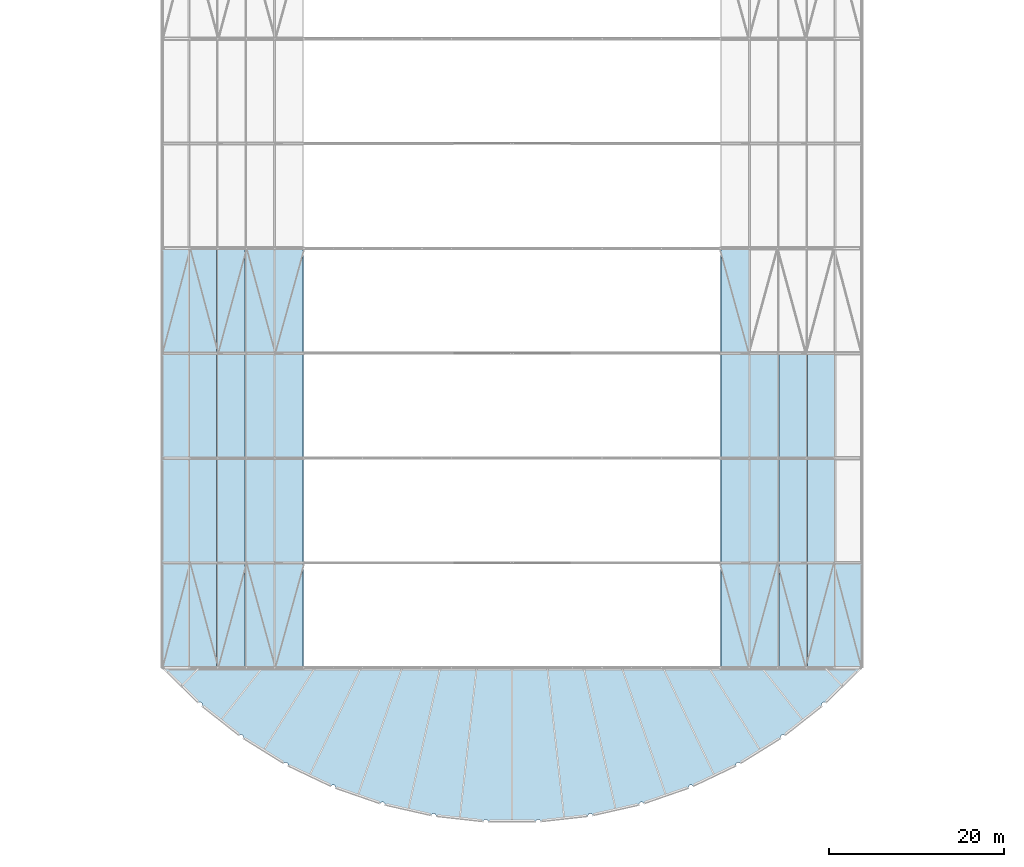
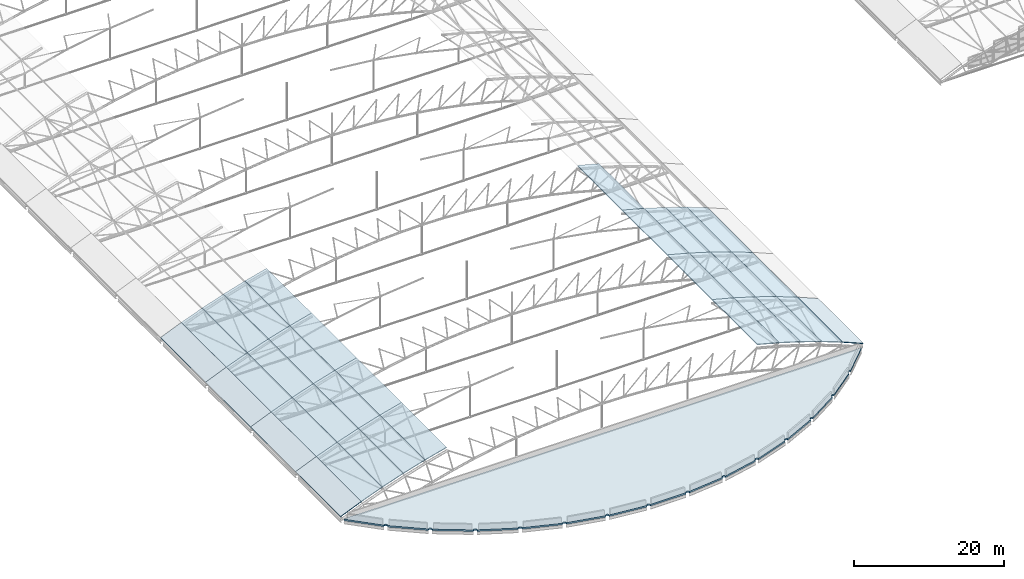
# One storey, part 246 of 321: 35 slabs.
"""IFC4 building model written with IfcOpenShell, lengths in metres."""

from ifc_helpers import new_model, si_unit, direction, frame, origin, place, context, subcontext, project, spatial, polyline, outline, extrude, material, layer, layer_set, type_object, element, save


model = new_model("IFC4")

# Units and contexts
model_context = context("Model", 3, precision=1e-05, world=origin(), true_north=direction((0.0, 1.0)))
body_context = subcontext(model_context, "Body", "Model", "MODEL_VIEW")
ifc_project = project(units=[si_unit("LENGTHUNIT", "METRE"), si_unit("AREAUNIT", "SQUARE_METRE"), si_unit("VOLUMEUNIT", "CUBIC_METRE"), si_unit("PLANEANGLEUNIT", "RADIAN"), si_unit("MASSUNIT", "GRAM", prefix="KILO")], contexts=[model_context])

# Site, building, storey
site_placement = place(None, origin())
site = spatial("IfcSite", under=ifc_project, at=site_placement, CompositionType="ELEMENT")
building_placement = place(site_placement, origin())
building = spatial("IfcBuilding", under=site, at=building_placement, Name="Ravi Spectrum Wholesale Market", CompositionType="ELEMENT")
storey_placement = place(building_placement, frame((0.0, 0.0, 10.800048828125)))
storey = spatial("IfcBuildingStorey", under=building, at=storey_placement, Name="L02", CompositionType="ELEMENT", Elevation=10.800048828125)

# Slabs
ifc_material_1 = material(Name="Concrete C35/45", Category="concrete")
ifc_layer_1 = layer(ifc_material_1, 0.25)
ifc_layer_set_1 = layer_set([ifc_layer_1], Name="Concrete C35/45")
slab_type_1 = type_object("IfcSlabType", Name="Flat roof slab 250", PredefinedType="ROOF", material=ifc_layer_set_1)
slab_1_placement = place(storey_placement, frame((0.0, 0.0, -0.199951171875)))
element("IfcSlab", 1, at=slab_1_placement, inside=storey, type_object=slab_type_1, Name="H1-SL-L02-141", PredefinedType="ROOF", context=body_context, shape_type="SweptSolid", body=[
    extrude(outline(polyline([(101.218505859375, 22.232421875), (101.21533203125, 22.236572265625), (101.197998046875, 22.255859375), (101.1787109375, 22.273193359375), (101.157958984375, 22.288818359375), (101.1357421875, 22.302001953125), (101.1123046875, 22.31298828125), (101.087890625, 22.32177734375), (101.062744140625, 22.328125), (101.037109375, 22.33203125), (101.01123046875, 22.333251953125), (100.9853515625, 22.33203125), (100.959716796875, 22.328125), (100.9345703125, 22.32177734375), (100.91015625, 22.31298828125), (100.88671875, 22.302001953125), (100.864501953125, 22.288818359375), (100.84375, 22.273193359375), (100.824462890625, 22.255859375), (100.80712890625, 22.236572265625), (100.791748046875, 22.2158203125), (100.7783203125, 22.193603515625), (100.767333984375, 22.170166015625), (100.758544921875, 22.145751953125), (100.752197265625, 22.12060546875), (100.74853515625, 22.094970703125), (100.747314453125, 22.069091796875), (100.74853515625, 22.043212890625), (100.752197265625, 22.017578125), (100.758544921875, 21.99267578125), (100.767333984375, 21.96826171875), (100.7783203125, 21.94482421875), (100.787109375, 21.929931640625), (96.13671875, 19.03955078125), (96.13232421875, 19.046875), (96.116943359375, 19.06787109375), (96.099609375, 19.0869140625), (96.080322265625, 19.104248046875), (96.0595703125, 19.119873046875), (96.037353515625, 19.133056640625), (96.013916015625, 19.144287109375), (95.989501953125, 19.15283203125), (95.96435546875, 19.1591796875), (95.938720703125, 19.1630859375), (95.912841796875, 19.164306640625), (95.886962890625, 19.1630859375), (95.861328125, 19.1591796875), (95.836181640625, 19.15283203125), (95.811767578125, 19.144287109375), (95.788330078125, 19.133056640625), (95.76611328125, 19.119873046875), (95.745361328125, 19.104248046875), (95.72607421875, 19.0869140625), (95.708740234375, 19.06787109375), (95.693359375, 19.046875), (95.679931640625, 19.024658203125), (95.6689453125, 19.001220703125), (95.66015625, 18.97705078125), (95.65380859375, 18.951904296875), (95.650146484375, 18.92626953125), (95.64892578125, 18.900390625), (95.650146484375, 18.87451171875), (95.65380859375, 18.848876953125), (95.66015625, 18.82373046875), (95.6689453125, 18.79931640625), (95.6748046875, 18.786865234375), (90.732177734375, 16.430419921875), (90.72705078125, 16.44140625), (90.713623046875, 16.463623046875), (90.6982421875, 16.484375), (90.680908203125, 16.503662109375), (90.66162109375, 16.52099609375), (90.640869140625, 16.536376953125), (90.61865234375, 16.5498046875), (90.59521484375, 16.560791015625), (90.57080078125, 16.569580078125), (90.545654296875, 16.57568359375), (90.52001953125, 16.57958984375), (90.494140625, 16.580810546875), (90.46826171875, 16.57958984375), (90.442626953125, 16.57568359375), (90.41748046875, 16.569580078125), (90.393310546875, 16.560791015625), (90.369873046875, 16.5498046875), (90.34765625, 16.536376953125), (90.32666015625, 16.52099609375), (90.3076171875, 16.503662109375), (90.2900390625, 16.484375), (90.274658203125, 16.463623046875), (90.261474609375, 16.44140625), (90.250244140625, 16.41796875), (90.24169921875, 16.3935546875), (90.2353515625, 16.368408203125), (90.2314453125, 16.3427734375), (90.230224609375, 16.31689453125), (90.2314453125, 16.291015625), (90.2353515625, 16.265380859375), (90.24169921875, 16.240234375), (90.2451171875, 16.23046875), (85.071533203125, 14.437255859375), (85.066162109375, 14.451904296875), (85.05517578125, 14.475341796875), (85.0419921875, 14.49755859375), (85.0263671875, 14.518310546875), (85.009033203125, 14.53759765625), (84.98974609375, 14.554931640625), (84.968994140625, 14.5703125), (84.94677734375, 14.583740234375), (84.92333984375, 14.5947265625), (84.89892578125, 14.603515625), (84.873779296875, 14.60986328125), (84.84814453125, 14.613525390625), (84.822265625, 14.61474609375), (84.79638671875, 14.613525390625), (84.770751953125, 14.60986328125), (84.745849609375, 14.603515625), (84.721435546875, 14.5947265625), (84.697998046875, 14.583740234375), (84.67578125, 14.5703125), (84.65478515625, 14.554931640625), (84.6357421875, 14.53759765625), (84.618408203125, 14.518310546875), (84.602783203125, 14.49755859375), (84.589599609375, 14.475341796875), (84.578369140625, 14.451904296875), (84.56982421875, 14.427490234375), (84.5634765625, 14.40234375), (84.5595703125, 14.376708984375), (84.558349609375, 14.350830078125), (84.5595703125, 14.324951171875), (84.5634765625, 14.29931640625), (84.565185546875, 14.292724609375), (79.224609375, 13.084716796875), (79.219970703125, 13.10302734375), (79.211181640625, 13.12744140625), (79.2001953125, 13.15087890625), (79.186767578125, 13.173095703125), (79.17138671875, 13.19384765625), (79.154052734375, 13.213134765625), (79.134765625, 13.23046875), (79.114013671875, 13.24609375), (79.091796875, 13.25927734375), (79.068359375, 13.2705078125), (79.0439453125, 13.279052734375), (79.018798828125, 13.285400390625), (78.9931640625, 13.289306640625), (78.96728515625, 13.29052734375), (78.94140625, 13.289306640625), (78.915771484375, 13.285400390625), (78.890625, 13.279052734375), (78.8662109375, 13.2705078125), (78.8427734375, 13.25927734375), (78.820556640625, 13.24609375), (78.7998046875, 13.23046875), (78.78076171875, 13.213134765625), (78.76318359375, 13.19384765625), (78.747802734375, 13.173095703125), (78.734619140625, 13.15087890625), (78.723388671875, 13.12744140625), (78.714599609375, 13.10302734375), (78.70849609375, 13.077880859375), (78.70458984375, 13.05224609375), (78.703369140625, 13.0263671875), (78.70458984375, 13.00048828125), (78.705078125, 12.997314453125), (73.263671875, 12.389404296875), (73.260498046875, 12.41162109375), (73.254150390625, 12.436767578125), (73.245361328125, 12.461181640625), (73.234375, 12.484619140625), (73.220947265625, 12.5068359375), (73.20556640625, 12.527587890625), (73.188232421875, 12.546875), (73.1689453125, 12.564208984375), (73.148193359375, 12.57958984375), (73.1259765625, 12.593017578125), (73.1025390625, 12.60400390625), (73.078125, 12.61279296875), (73.052978515625, 12.619140625), (73.02734375, 12.622802734375), (73.00146484375, 12.624267578125), (72.9755859375, 12.622802734375), (72.949951171875, 12.619140625), (72.9248046875, 12.61279296875), (72.900390625, 12.60400390625), (72.876953125, 12.593017578125), (72.854736328125, 12.57958984375), (72.833984375, 12.564208984375), (72.814697265625, 12.546875), (72.79736328125, 12.527587890625), (72.781982421875, 12.5068359375), (72.7685546875, 12.484619140625), (72.757568359375, 12.461181640625), (72.748779296875, 12.436767578125), (72.742431640625, 12.41162109375), (72.73876953125, 12.385986328125), (72.737548828125, 12.360107421875), (67.262451171875, 12.360107421875), (67.26123046875, 12.385986328125), (67.257568359375, 12.41162109375), (67.251220703125, 12.436767578125), (67.242431640625, 12.461181640625), (67.2314453125, 12.484619140625), (67.218017578125, 12.5068359375), (67.20263671875, 12.527587890625), (67.185302734375, 12.546875), (67.166015625, 12.564208984375), (67.145263671875, 12.57958984375), (67.123046875, 12.593017578125), (67.099609375, 12.60400390625), (67.0751953125, 12.61279296875), (67.050048828125, 12.619140625), (67.0244140625, 12.622802734375), (66.99853515625, 12.624267578125), (66.97265625, 12.622802734375), (66.947021484375, 12.619140625), (66.921875, 12.61279296875), (66.8974609375, 12.60400390625), (66.8740234375, 12.593017578125), (66.851806640625, 12.57958984375), (66.8310546875, 12.564208984375), (66.811767578125, 12.546875), (66.79443359375, 12.527587890625), (66.779052734375, 12.5068359375), (66.765625, 12.484619140625), (66.754638671875, 12.461181640625), (66.745849609375, 12.436767578125), (66.739501953125, 12.41162109375), (66.736328125, 12.389404296875), (61.294921875, 12.997314453125), (61.29541015625, 13.00048828125), (61.296630859375, 13.0263671875), (61.29541015625, 13.05224609375), (61.29150390625, 13.077880859375), (61.285400390625, 13.10302734375), (61.276611328125, 13.12744140625), (61.265380859375, 13.15087890625), (61.252197265625, 13.173095703125), (61.23681640625, 13.19384765625), (61.21923828125, 13.213134765625), (61.2001953125, 13.23046875), (61.179443359375, 13.24609375), (61.1572265625, 13.25927734375), (61.1337890625, 13.2705078125), (61.109375, 13.279052734375), (61.084228515625, 13.285400390625), (61.05859375, 13.289306640625), (61.03271484375, 13.29052734375), (61.0068359375, 13.289306640625), (60.981201171875, 13.285400390625), (60.9560546875, 13.279052734375), (60.931640625, 13.2705078125), (60.908203125, 13.25927734375), (60.885986328125, 13.24609375), (60.865234375, 13.23046875), (60.845947265625, 13.213134765625), (60.82861328125, 13.19384765625), (60.813232421875, 13.173095703125), (60.7998046875, 13.15087890625), (60.788818359375, 13.12744140625), (60.780029296875, 13.10302734375), (60.775390625, 13.084716796875), (55.434814453125, 14.292724609375), (55.4365234375, 14.29931640625), (55.4404296875, 14.324951171875), (55.441650390625, 14.350830078125), (55.4404296875, 14.376708984375), (55.4365234375, 14.40234375), (55.43017578125, 14.427490234375), (55.421630859375, 14.451904296875), (55.410400390625, 14.475341796875), (55.397216796875, 14.49755859375), (55.381591796875, 14.518310546875), (55.3642578125, 14.53759765625), (55.34521484375, 14.554931640625), (55.32421875, 14.5703125), (55.302001953125, 14.583740234375), (55.278564453125, 14.5947265625), (55.254150390625, 14.603515625), (55.229248046875, 14.60986328125), (55.20361328125, 14.613525390625), (55.177734375, 14.61474609375), (55.15185546875, 14.613525390625), (55.126220703125, 14.60986328125), (55.10107421875, 14.603515625), (55.07666015625, 14.5947265625), (55.05322265625, 14.583740234375), (55.031005859375, 14.5703125), (55.01025390625, 14.554931640625), (54.990966796875, 14.53759765625), (54.9736328125, 14.518310546875), (54.9580078125, 14.49755859375), (54.94482421875, 14.475341796875), (54.933837890625, 14.451904296875), (54.928466796875, 14.437255859375), (49.7548828125, 16.23046875), (49.75830078125, 16.240234375), (49.7646484375, 16.265380859375), (49.7685546875, 16.291015625), (49.769775390625, 16.31689453125), (49.7685546875, 16.3427734375), (49.7646484375, 16.368408203125), (49.75830078125, 16.3935546875), (49.749755859375, 16.41796875), (49.738525390625, 16.44140625), (49.725341796875, 16.463623046875), (49.7099609375, 16.484375), (49.6923828125, 16.503662109375), (49.67333984375, 16.52099609375), (49.65234375, 16.536376953125), (49.630126953125, 16.5498046875), (49.606689453125, 16.560791015625), (49.58251953125, 16.569580078125), (49.557373046875, 16.57568359375), (49.53173828125, 16.57958984375), (49.505859375, 16.580810546875), (49.47998046875, 16.57958984375), (49.454345703125, 16.57568359375), (49.42919921875, 16.569580078125), (49.40478515625, 16.560791015625), (49.38134765625, 16.5498046875), (49.359130859375, 16.536376953125), (49.33837890625, 16.52099609375), (49.319091796875, 16.503662109375), (49.3017578125, 16.484375), (49.286376953125, 16.463623046875), (49.27294921875, 16.44140625), (49.267822265625, 16.430419921875), (44.3251953125, 18.786865234375), (44.3310546875, 18.79931640625), (44.33984375, 18.82373046875), (44.34619140625, 18.848876953125), (44.349853515625, 18.87451171875), (44.35107421875, 18.900390625), (44.349853515625, 18.92626953125), (44.34619140625, 18.951904296875), (44.33984375, 18.97705078125), (44.3310546875, 19.001220703125), (44.320068359375, 19.024658203125), (44.306640625, 19.046875), (44.291259765625, 19.06787109375), (44.27392578125, 19.0869140625), (44.254638671875, 19.104248046875), (44.23388671875, 19.119873046875), (44.211669921875, 19.133056640625), (44.188232421875, 19.144287109375), (44.163818359375, 19.15283203125), (44.138671875, 19.1591796875), (44.113037109375, 19.1630859375), (44.087158203125, 19.164306640625), (44.061279296875, 19.1630859375), (44.03564453125, 19.1591796875), (44.010498046875, 19.15283203125), (43.986083984375, 19.144287109375), (43.962646484375, 19.133056640625), (43.9404296875, 19.119873046875), (43.919677734375, 19.104248046875), (43.900390625, 19.0869140625), (43.883056640625, 19.06787109375), (43.86767578125, 19.046875), (43.86328125, 19.03955078125), (39.212890625, 21.929931640625), (39.2216796875, 21.94482421875), (39.232666015625, 21.96826171875), (39.241455078125, 21.99267578125), (39.247802734375, 22.017578125), (39.25146484375, 22.043212890625), (39.252685546875, 22.069091796875), (39.25146484375, 22.094970703125), (39.247802734375, 22.12060546875), (39.241455078125, 22.145751953125), (39.232666015625, 22.170166015625), (39.2216796875, 22.193603515625), (39.208251953125, 22.2158203125), (39.19287109375, 22.236572265625), (39.175537109375, 22.255859375), (39.15625, 22.273193359375), (39.135498046875, 22.288818359375), (39.11328125, 22.302001953125), (39.08984375, 22.31298828125), (39.0654296875, 22.32177734375), (39.040283203125, 22.328125), (39.0146484375, 22.33203125), (38.98876953125, 22.333251953125), (38.962890625, 22.33203125), (38.937255859375, 22.328125), (38.912109375, 22.32177734375), (38.8876953125, 22.31298828125), (38.8642578125, 22.302001953125), (38.842041015625, 22.288818359375), (38.8212890625, 22.273193359375), (38.802001953125, 22.255859375), (38.78466796875, 22.236572265625), (38.781494140625, 22.232421875), (34.48095703125, 25.62109375), (34.4931640625, 25.6376953125), (34.506591796875, 25.659912109375), (34.517578125, 25.683349609375), (34.5263671875, 25.707763671875), (34.532470703125, 25.73291015625), (34.536376953125, 25.758544921875), (34.53759765625, 25.784423828125), (34.536376953125, 25.810302734375), (34.532470703125, 25.8359375), (34.5263671875, 25.861083984375), (34.517578125, 25.885498046875), (34.506591796875, 25.908935546875), (34.4931640625, 25.93115234375), (34.477783203125, 25.951904296875), (34.460205078125, 25.97119140625), (34.441162109375, 25.988525390625), (34.42041015625, 26.00390625), (34.398193359375, 26.017333984375), (34.374755859375, 26.0283203125), (34.350341796875, 26.037109375), (34.3251953125, 26.043212890625), (34.299560546875, 26.047119140625), (34.273681640625, 26.04833984375), (34.247802734375, 26.047119140625), (34.22216796875, 26.043212890625), (34.197021484375, 26.037109375), (34.172607421875, 26.0283203125), (34.149169921875, 26.017333984375), (34.126953125, 26.00390625), (34.106201171875, 25.988525390625), (34.0869140625, 25.97119140625), (34.085693359375, 25.9697265625), (30.18798828125, 29.814697265625), (30.2041015625, 29.83251953125), (30.219482421875, 29.853271484375), (30.23291015625, 29.87548828125), (30.243896484375, 29.89892578125), (30.244384765625, 29.89990234375), (109.755615234375, 29.89990234375), (109.756103515625, 29.89892578125), (109.76708984375, 29.87548828125), (109.780517578125, 29.853271484375), (109.7958984375, 29.83251953125), (109.81201171875, 29.814697265625), (105.914306640625, 25.9697265625), (105.9130859375, 25.97119140625), (105.893798828125, 25.988525390625), (105.873046875, 26.00390625), (105.850830078125, 26.017333984375), (105.827392578125, 26.0283203125), (105.802978515625, 26.037109375), (105.77783203125, 26.043212890625), (105.752197265625, 26.047119140625), (105.726318359375, 26.04833984375), (105.700439453125, 26.047119140625), (105.6748046875, 26.043212890625), (105.649658203125, 26.037109375), (105.625244140625, 26.0283203125), (105.601806640625, 26.017333984375), (105.57958984375, 26.00390625), (105.558837890625, 25.988525390625), (105.539794921875, 25.97119140625), (105.522216796875, 25.951904296875), (105.5068359375, 25.93115234375), (105.493408203125, 25.908935546875), (105.482421875, 25.885498046875), (105.4736328125, 25.861083984375), (105.467529296875, 25.8359375), (105.463623046875, 25.810302734375), (105.46240234375, 25.784423828125), (105.463623046875, 25.758544921875), (105.467529296875, 25.73291015625), (105.4736328125, 25.707763671875), (105.482421875, 25.683349609375), (105.493408203125, 25.659912109375), (105.5068359375, 25.6376953125), (105.51904296875, 25.62109375), (101.218505859375, 22.232421875)])), origin(), (0.0, 0.0, 1.0), 0.25),
])
ifc_material_2 = material(Name="Steel S355", Category="steel")
ifc_layer_2 = layer(ifc_material_2, 0.1201171875)
ifc_layer_set_2 = layer_set([ifc_layer_2], Name="Steel S355")
slab_type_2 = type_object("IfcSlabType", Name="Roof panel 120", PredefinedType="ROOF", material=ifc_layer_set_2)
slab_2_placement = place(storey_placement, frame((29.76318359375, 30.0, 0.5439453125), z_axis=(-0.386400188162, 0.0, 0.922331228241), x_axis=(0.922331228241, 0.0, 0.386400188162)))
element("IfcSlab", 2, at=slab_2_placement, inside=storey, type_object=slab_type_2, Name="H1-SL-L02-001", PredefinedType="ROOF", context=body_context, shape_type="SweptSolid", body=[
    extrude(outline(polyline([(0.0, 0.0), (3.44665233138391, 0.0), (3.44665233138391, 12.0), (0.0, 12.0), (0.0, 0.0)])), origin(), (0.0, 0.0, -1.0), 0.1201171875),
])
slab_3_placement = place(storey_placement, frame((32.946044921875, 30.0, 1.877197265625), z_axis=(-0.354389433988, 0.0, 0.93509792486), x_axis=(0.93509792486, 0.0, 0.354389433988)))
element("IfcSlab", 3, at=slab_3_placement, inside=storey, type_object=slab_type_2, Name="H1-SL-L02-002", PredefinedType="ROOF", context=body_context, shape_type="SweptSolid", body=[
    extrude(outline(polyline([(0.0, 0.0), (3.4465913194140976, 0.0), (3.4465913194140976, 12.0), (0.0, 12.0), (0.0, 0.0)])), origin(), (0.0, 0.0, -1.0), 0.1201171875),
])
slab_4_placement = place(storey_placement, frame((36.1728515625, 30.0, 3.099853515625), z_axis=(-0.321938289451, 0.0, 0.946760654963), x_axis=(0.946760654963, 0.0, 0.321938289451)))
element("IfcSlab", 4, at=slab_4_placement, inside=storey, type_object=slab_type_2, Name="H1-SL-L02-003", PredefinedType="ROOF", context=body_context, shape_type="SweptSolid", body=[
    extrude(outline(polyline([(0.0, 0.0), (3.4466827245571254, 0.0), (3.4466827245571254, 12.0), (0.0, 12.0), (0.0, 0.0)])), origin(), (0.0, 0.0, -1.0), 0.1201171875),
])
slab_5_placement = place(storey_placement, frame((39.43994140625, 30.0, 4.210693359375), z_axis=(-0.289069508048, 0.0, 0.957308111068), x_axis=(0.957308111068, 0.0, 0.289069508048)))
element("IfcSlab", 5, at=slab_5_placement, inside=storey, type_object=slab_type_2, Name="H1-SL-L02-004", PredefinedType="ROOF", context=body_context, shape_type="SweptSolid", body=[
    extrude(outline(polyline([(0.0, 0.0), (3.4467069783764797, 0.0), (3.4467069783764797, 12.0), (0.0, 12.0), (0.0, 0.0)])), origin(), (0.0, 0.0, -1.0), 0.1201171875),
])
for number, where, z_axis, x_axis, name in (
    (6, (42.74365234375, 30.0, 5.2080078125), (-0.255929552766, 0.0, 0.966695434985), (0.966695434985, 0.0, 0.255929552766), "H1-SL-L02-005"),
    (7, (93.924560546875, 30.0, 6.090087890625), (0.255929552766, 0.0, 0.966695434985), (0.966695434985, 0.0, -0.255929552766), "H1-SL-L02-006"),
):
    element("IfcSlab", number, at=place(storey_placement, frame(where, z_axis=z_axis, x_axis=x_axis)), inside=storey, type_object=slab_type_2, Name=name, PredefinedType="ROOF", context=body_context, shape_type="SweptSolid", body=[
        extrude(outline(polyline([(0.0, 0.0), (3.4465737488732815, 0.0), (3.4465737488732815, 12.0), (0.0, 12.0), (0.0, 0.0)])), origin(), (0.0, 0.0, -1.0), 0.1201171875),
    ])
slab_6_placement = place(storey_placement, frame((97.260498046875, 30.0, 5.20703125), z_axis=(0.289069508048, 0.0, 0.957308111068), x_axis=(0.957308111068, 0.0, -0.289069508048)))
element("IfcSlab", 8, at=slab_6_placement, inside=storey, type_object=slab_type_2, Name="H1-SL-L02-007", PredefinedType="ROOF", context=body_context, shape_type="SweptSolid", body=[
    extrude(outline(polyline([(0.0, 0.0), (3.4467069783764797, 0.0), (3.4467069783764797, 12.0), (0.0, 12.0), (0.0, 0.0)])), origin(), (0.0, 0.0, -1.0), 0.1201171875),
])
slab_7_placement = place(storey_placement, frame((100.56396484375, 30.0, 4.20947265625), z_axis=(0.321938289451, 0.0, 0.946760654963), x_axis=(0.946760654963, 0.0, -0.321938289451)))
element("IfcSlab", 9, at=slab_7_placement, inside=storey, type_object=slab_type_2, Name="H1-SL-L02-008", PredefinedType="ROOF", context=body_context, shape_type="SweptSolid", body=[
    extrude(outline(polyline([(0.0, 0.0), (3.4466827245571254, 0.0), (3.4466827245571254, 12.0), (0.0, 12.0), (0.0, 0.0)])), origin(), (0.0, 0.0, -1.0), 0.1201171875),
])
slab_8_placement = place(storey_placement, frame((103.8310546875, 30.0, 3.0986328125), z_axis=(0.354389433988, 0.0, 0.93509792486), x_axis=(0.93509792486, 0.0, -0.354389433988)))
element("IfcSlab", 10, at=slab_8_placement, inside=storey, type_object=slab_type_2, Name="H1-SL-L02-009", PredefinedType="ROOF", context=body_context, shape_type="SweptSolid", body=[
    extrude(outline(polyline([(0.0, 0.0), (3.4465913194140976, 0.0), (3.4465913194140976, 12.0), (0.0, 12.0), (0.0, 0.0)])), origin(), (0.0, 0.0, -1.0), 0.1201171875),
])
for number, where, z_axis, x_axis, name in (
    (11, (107.057861328125, 30.0, 1.875732421875), (0.386400188162, 0.0, 0.922331228241), (0.922331228241, 0.0, -0.386400188162), "H1-SL-L02-010"),
    (12, (29.76318359375, 42.0, 0.5439453125), (-0.386400188162, 0.0, 0.922331228241), (0.922331228241, 0.0, 0.386400188162), "H1-SL-L02-011"),
):
    element("IfcSlab", number, at=place(storey_placement, frame(where, z_axis=z_axis, x_axis=x_axis)), inside=storey, type_object=slab_type_2, Name=name, PredefinedType="ROOF", context=body_context, shape_type="SweptSolid", body=[
        extrude(outline(polyline([(0.0, 0.0), (3.44665233138391, 0.0), (3.44665233138391, 12.0), (0.0, 12.0), (0.0, 0.0)])), origin(), (0.0, 0.0, -1.0), 0.1201171875),
    ])
slab_9_placement = place(storey_placement, frame((32.946044921875, 42.0, 1.877197265625), z_axis=(-0.354389433988, 0.0, 0.93509792486), x_axis=(0.93509792486, 0.0, 0.354389433988)))
element("IfcSlab", 13, at=slab_9_placement, inside=storey, type_object=slab_type_2, Name="H1-SL-L02-012", PredefinedType="ROOF", context=body_context, shape_type="SweptSolid", body=[
    extrude(outline(polyline([(0.0, 0.0), (3.4465913194140976, 0.0), (3.4465913194140976, 12.0), (0.0, 12.0), (0.0, 0.0)])), origin(), (0.0, 0.0, -1.0), 0.1201171875),
])
slab_10_placement = place(storey_placement, frame((36.1728515625, 42.0, 3.099853515625), z_axis=(-0.321938289451, 0.0, 0.946760654963), x_axis=(0.946760654963, 0.0, 0.321938289451)))
element("IfcSlab", 14, at=slab_10_placement, inside=storey, type_object=slab_type_2, Name="H1-SL-L02-013", PredefinedType="ROOF", context=body_context, shape_type="SweptSolid", body=[
    extrude(outline(polyline([(0.0, 0.0), (3.4466827245571254, 0.0), (3.4466827245571254, 12.0), (0.0, 12.0), (0.0, 0.0)])), origin(), (0.0, 0.0, -1.0), 0.1201171875),
])
slab_11_placement = place(storey_placement, frame((39.43994140625, 42.0, 4.210693359375), z_axis=(-0.289069508048, 0.0, 0.957308111068), x_axis=(0.957308111068, 0.0, 0.289069508048)))
element("IfcSlab", 15, at=slab_11_placement, inside=storey, type_object=slab_type_2, Name="H1-SL-L02-014", PredefinedType="ROOF", context=body_context, shape_type="SweptSolid", body=[
    extrude(outline(polyline([(0.0, 0.0), (3.4467069783764797, 0.0), (3.4467069783764797, 12.0), (0.0, 12.0), (0.0, 0.0)])), origin(), (0.0, 0.0, -1.0), 0.1201171875),
])
for number, where, z_axis, x_axis, name in (
    (16, (42.74365234375, 42.0, 5.2080078125), (-0.255929552766, 0.0, 0.966695434985), (0.966695434985, 0.0, 0.255929552766), "H1-SL-L02-015"),
    (17, (93.924560546875, 42.0, 6.090087890625), (0.255929552766, 0.0, 0.966695434985), (0.966695434985, 0.0, -0.255929552766), "H1-SL-L02-016"),
):
    element("IfcSlab", number, at=place(storey_placement, frame(where, z_axis=z_axis, x_axis=x_axis)), inside=storey, type_object=slab_type_2, Name=name, PredefinedType="ROOF", context=body_context, shape_type="SweptSolid", body=[
        extrude(outline(polyline([(0.0, 0.0), (3.4465737488732815, 0.0), (3.4465737488732815, 12.0), (0.0, 12.0), (0.0, 0.0)])), origin(), (0.0, 0.0, -1.0), 0.1201171875),
    ])
slab_12_placement = place(storey_placement, frame((97.260498046875, 42.0, 5.20703125), z_axis=(0.289069508048, 0.0, 0.957308111068), x_axis=(0.957308111068, 0.0, -0.289069508048)))
element("IfcSlab", 18, at=slab_12_placement, inside=storey, type_object=slab_type_2, Name="H1-SL-L02-017", PredefinedType="ROOF", context=body_context, shape_type="SweptSolid", body=[
    extrude(outline(polyline([(0.0, 0.0), (3.4467069783764797, 0.0), (3.4467069783764797, 12.0), (0.0, 12.0), (0.0, 0.0)])), origin(), (0.0, 0.0, -1.0), 0.1201171875),
])
slab_13_placement = place(storey_placement, frame((100.56396484375, 42.0, 4.20947265625), z_axis=(0.321938289451, 0.0, 0.946760654963), x_axis=(0.946760654963, 0.0, -0.321938289451)))
element("IfcSlab", 19, at=slab_13_placement, inside=storey, type_object=slab_type_2, Name="H1-SL-L02-018", PredefinedType="ROOF", context=body_context, shape_type="SweptSolid", body=[
    extrude(outline(polyline([(0.0, 0.0), (3.4466827245571254, 0.0), (3.4466827245571254, 12.0), (0.0, 12.0), (0.0, 0.0)])), origin(), (0.0, 0.0, -1.0), 0.1201171875),
])
slab_14_placement = place(storey_placement, frame((103.8310546875, 42.0, 3.0986328125), z_axis=(0.354389433988, 0.0, 0.93509792486), x_axis=(0.93509792486, 0.0, -0.354389433988)))
element("IfcSlab", 20, at=slab_14_placement, inside=storey, type_object=slab_type_2, Name="H1-SL-L02-019", PredefinedType="ROOF", context=body_context, shape_type="SweptSolid", body=[
    extrude(outline(polyline([(0.0, 0.0), (3.4465913194140976, 0.0), (3.4465913194140976, 12.0), (0.0, 12.0), (0.0, 0.0)])), origin(), (0.0, 0.0, -1.0), 0.1201171875),
])
slab_15_placement = place(storey_placement, frame((29.76318359375, 54.0, 0.5439453125), z_axis=(-0.386400188162, 0.0, 0.922331228241), x_axis=(0.922331228241, 0.0, 0.386400188162)))
element("IfcSlab", 21, at=slab_15_placement, inside=storey, type_object=slab_type_2, Name="H1-SL-L02-021", PredefinedType="ROOF", context=body_context, shape_type="SweptSolid", body=[
    extrude(outline(polyline([(0.0, 0.0), (3.44665233138391, 0.0), (3.44665233138391, 12.0), (0.0, 12.0), (0.0, 0.0)])), origin(), (0.0, 0.0, -1.0), 0.1201171875),
])
slab_16_placement = place(storey_placement, frame((32.946044921875, 54.0, 1.877197265625), z_axis=(-0.354389433988, 0.0, 0.93509792486), x_axis=(0.93509792486, 0.0, 0.354389433988)))
element("IfcSlab", 22, at=slab_16_placement, inside=storey, type_object=slab_type_2, Name="H1-SL-L02-022", PredefinedType="ROOF", context=body_context, shape_type="SweptSolid", body=[
    extrude(outline(polyline([(0.0, 0.0), (3.4465913194140976, 0.0), (3.4465913194140976, 12.0), (0.0, 12.0), (0.0, 0.0)])), origin(), (0.0, 0.0, -1.0), 0.1201171875),
])
slab_17_placement = place(storey_placement, frame((36.1728515625, 54.0, 3.099853515625), z_axis=(-0.321938289451, 0.0, 0.946760654963), x_axis=(0.946760654963, 0.0, 0.321938289451)))
element("IfcSlab", 23, at=slab_17_placement, inside=storey, type_object=slab_type_2, Name="H1-SL-L02-023", PredefinedType="ROOF", context=body_context, shape_type="SweptSolid", body=[
    extrude(outline(polyline([(0.0, 0.0), (3.4466827245571254, 0.0), (3.4466827245571254, 12.0), (0.0, 12.0), (0.0, 0.0)])), origin(), (0.0, 0.0, -1.0), 0.1201171875),
])
slab_18_placement = place(storey_placement, frame((39.43994140625, 54.0, 4.210693359375), z_axis=(-0.289069508048, 0.0, 0.957308111068), x_axis=(0.957308111068, 0.0, 0.289069508048)))
element("IfcSlab", 24, at=slab_18_placement, inside=storey, type_object=slab_type_2, Name="H1-SL-L02-024", PredefinedType="ROOF", context=body_context, shape_type="SweptSolid", body=[
    extrude(outline(polyline([(0.0, 0.0), (3.4467069783764797, 0.0), (3.4467069783764797, 12.0), (0.0, 12.0), (0.0, 0.0)])), origin(), (0.0, 0.0, -1.0), 0.1201171875),
])
for number, where, z_axis, x_axis, name in (
    (25, (42.74365234375, 54.0, 5.2080078125), (-0.255929552766, 0.0, 0.966695434985), (0.966695434985, 0.0, 0.255929552766), "H1-SL-L02-025"),
    (26, (93.924560546875, 54.0, 6.090087890625), (0.255929552766, 0.0, 0.966695434985), (0.966695434985, 0.0, -0.255929552766), "H1-SL-L02-026"),
):
    element("IfcSlab", number, at=place(storey_placement, frame(where, z_axis=z_axis, x_axis=x_axis)), inside=storey, type_object=slab_type_2, Name=name, PredefinedType="ROOF", context=body_context, shape_type="SweptSolid", body=[
        extrude(outline(polyline([(0.0, 0.0), (3.4465737488732815, 0.0), (3.4465737488732815, 12.0), (0.0, 12.0), (0.0, 0.0)])), origin(), (0.0, 0.0, -1.0), 0.1201171875),
    ])
slab_19_placement = place(storey_placement, frame((97.260498046875, 54.0, 5.20703125), z_axis=(0.289069508048, 0.0, 0.957308111068), x_axis=(0.957308111068, 0.0, -0.289069508048)))
element("IfcSlab", 27, at=slab_19_placement, inside=storey, type_object=slab_type_2, Name="H1-SL-L02-027", PredefinedType="ROOF", context=body_context, shape_type="SweptSolid", body=[
    extrude(outline(polyline([(0.0, 0.0), (3.4467069783764797, 0.0), (3.4467069783764797, 12.0), (0.0, 12.0), (0.0, 0.0)])), origin(), (0.0, 0.0, -1.0), 0.1201171875),
])
slab_20_placement = place(storey_placement, frame((100.56396484375, 54.0, 4.20947265625), z_axis=(0.321938289451, 0.0, 0.946760654963), x_axis=(0.946760654963, 0.0, -0.321938289451)))
element("IfcSlab", 28, at=slab_20_placement, inside=storey, type_object=slab_type_2, Name="H1-SL-L02-028", PredefinedType="ROOF", context=body_context, shape_type="SweptSolid", body=[
    extrude(outline(polyline([(0.0, 0.0), (3.4466827245571254, 0.0), (3.4466827245571254, 12.0), (0.0, 12.0), (0.0, 0.0)])), origin(), (0.0, 0.0, -1.0), 0.1201171875),
])
slab_21_placement = place(storey_placement, frame((103.8310546875, 54.0, 3.0986328125), z_axis=(0.354389433988, 0.0, 0.93509792486), x_axis=(0.93509792486, 0.0, -0.354389433988)))
element("IfcSlab", 29, at=slab_21_placement, inside=storey, type_object=slab_type_2, Name="H1-SL-L02-029", PredefinedType="ROOF", context=body_context, shape_type="SweptSolid", body=[
    extrude(outline(polyline([(0.0, 0.0), (3.4465913194140976, 0.0), (3.4465913194140976, 12.0), (0.0, 12.0), (0.0, 0.0)])), origin(), (0.0, 0.0, -1.0), 0.1201171875),
])
slab_22_placement = place(storey_placement, frame((29.76318359375, 66.0, 0.5439453125), z_axis=(-0.386400188162, 0.0, 0.922331228241), x_axis=(0.922331228241, 0.0, 0.386400188162)))
element("IfcSlab", 30, at=slab_22_placement, inside=storey, type_object=slab_type_2, Name="H1-SL-L02-031", PredefinedType="ROOF", context=body_context, shape_type="SweptSolid", body=[
    extrude(outline(polyline([(0.0, 0.0), (3.44665233138391, 0.0), (3.44665233138391, 12.0), (0.0, 12.0), (0.0, 0.0)])), origin(), (0.0, 0.0, -1.0), 0.1201171875),
])
slab_23_placement = place(storey_placement, frame((32.946044921875, 66.0, 1.877197265625), z_axis=(-0.354389433988, 0.0, 0.93509792486), x_axis=(0.93509792486, 0.0, 0.354389433988)))
element("IfcSlab", 31, at=slab_23_placement, inside=storey, type_object=slab_type_2, Name="H1-SL-L02-032", PredefinedType="ROOF", context=body_context, shape_type="SweptSolid", body=[
    extrude(outline(polyline([(0.0, 0.0), (3.4465913194140976, 0.0), (3.4465913194140976, 12.0), (0.0, 12.0), (0.0, 0.0)])), origin(), (0.0, 0.0, -1.0), 0.1201171875),
])
slab_24_placement = place(storey_placement, frame((36.1728515625, 66.0, 3.099853515625), z_axis=(-0.321938289451, 0.0, 0.946760654963), x_axis=(0.946760654963, 0.0, 0.321938289451)))
element("IfcSlab", 32, at=slab_24_placement, inside=storey, type_object=slab_type_2, Name="H1-SL-L02-033", PredefinedType="ROOF", context=body_context, shape_type="SweptSolid", body=[
    extrude(outline(polyline([(0.0, 0.0), (3.4466827245571254, 0.0), (3.4466827245571254, 12.0), (0.0, 12.0), (0.0, 0.0)])), origin(), (0.0, 0.0, -1.0), 0.1201171875),
])
slab_25_placement = place(storey_placement, frame((39.43994140625, 66.0, 4.210693359375), z_axis=(-0.289069508048, 0.0, 0.957308111068), x_axis=(0.957308111068, 0.0, 0.289069508048)))
element("IfcSlab", 33, at=slab_25_placement, inside=storey, type_object=slab_type_2, Name="H1-SL-L02-034", PredefinedType="ROOF", context=body_context, shape_type="SweptSolid", body=[
    extrude(outline(polyline([(0.0, 0.0), (3.4467069783764797, 0.0), (3.4467069783764797, 12.0), (0.0, 12.0), (0.0, 0.0)])), origin(), (0.0, 0.0, -1.0), 0.1201171875),
])
for number, where, z_axis, x_axis, name in (
    (34, (42.74365234375, 66.0, 5.2080078125), (-0.255929552766, 0.0, 0.966695434985), (0.966695434985, 0.0, 0.255929552766), "H1-SL-L02-035"),
    (35, (93.924560546875, 66.0, 6.090087890625), (0.255929552766, 0.0, 0.966695434985), (0.966695434985, 0.0, -0.255929552766), "H1-SL-L02-036"),
):
    element("IfcSlab", number, at=place(storey_placement, frame(where, z_axis=z_axis, x_axis=x_axis)), inside=storey, type_object=slab_type_2, Name=name, PredefinedType="ROOF", context=body_context, shape_type="SweptSolid", body=[
        extrude(outline(polyline([(0.0, 0.0), (3.4465737488732815, 0.0), (3.4465737488732815, 12.0), (0.0, 12.0), (0.0, 0.0)])), origin(), (0.0, 0.0, -1.0), 0.1201171875),
    ])

save(model, "model.ifc")
